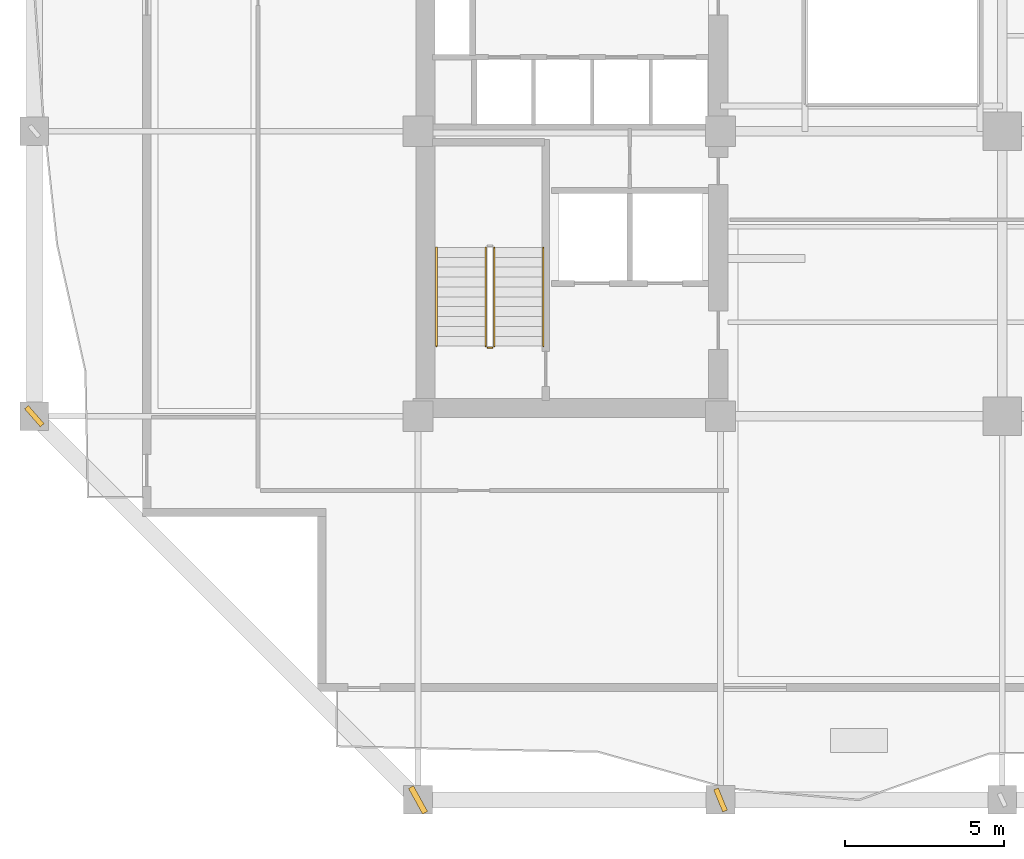
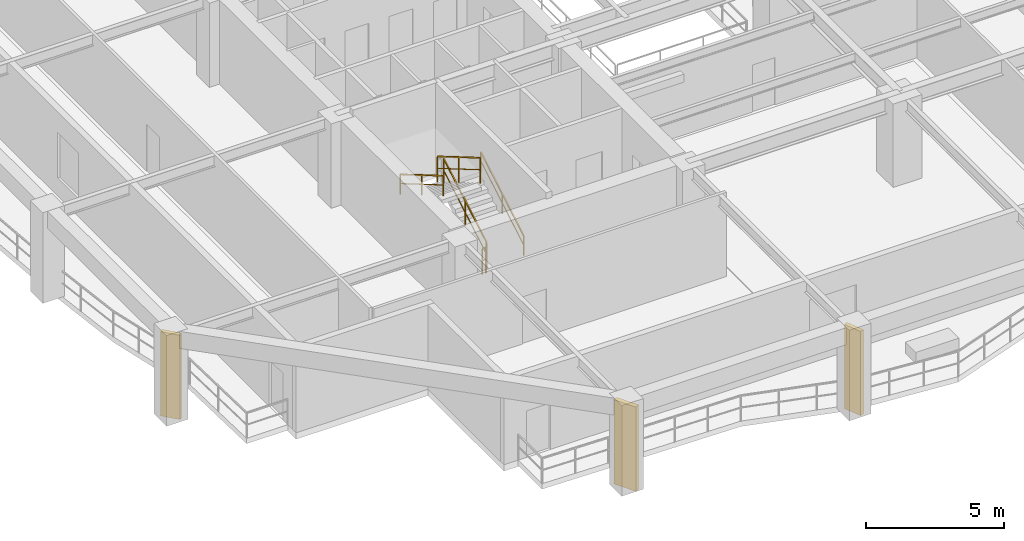
# One storey, part 6 of 13: 5 railings, 3 shading devices.
"""IFC4 building model written with IfcOpenShell, lengths in metres."""

from ifc_helpers import new_model, si_unit, direction, frame, origin, origin_2d, place, context, subcontext, project, spatial, rectangle, extrude, material, type_object, element, save


model = new_model("IFC4")

# Units and contexts
model_context = context("Model", 3, precision=1e-05, world=origin(), true_north=direction((0.0, 1.0)))
body_context = subcontext(model_context, "Body", "Model", "MODEL_VIEW")
ifc_project = project(units=[si_unit("LENGTHUNIT", "METRE"), si_unit("AREAUNIT", "SQUARE_METRE"), si_unit("VOLUMEUNIT", "CUBIC_METRE"), si_unit("PLANEANGLEUNIT", "RADIAN"), si_unit("MASSUNIT", "GRAM", prefix="KILO")], contexts=[model_context])

# Site, building, storey
site_placement = place(None, origin())
site = spatial("IfcSite", under=ifc_project, at=site_placement, CompositionType="ELEMENT")
building_placement = place(site_placement, origin())
building = spatial("IfcBuilding", under=site, at=building_placement, Name="Kundavana Baori Tower", CompositionType="ELEMENT")
storey_placement = place(building_placement, frame((0.0, 0.0, 34.0)))
storey = spatial("IfcBuildingStorey", under=building, at=storey_placement, Name="L07", CompositionType="ELEMENT", Elevation=34.0)

# Railings
ifc_material_1 = material(Name="Architectural Patinated Bronze Metalwork")
railing_type_1 = type_object("IfcRailingType", Name="RL-GRD-1150", PredefinedType="GUARDRAIL", material=ifc_material_1)
railing_1_placement = place(storey_placement, frame((17.840087890625, 17.449951171875, 0.181884765625)))
element("IfcRailing", 1, at=railing_1_placement, inside=storey, type_object=railing_type_1, Name="L07 ST1 stair guard 1", PredefinedType="GUARDRAIL", context=body_context, shape_type="SweptSolid", body=[
    extrude(rectangle(XDim=0.048095703125, YDim=0.048095703125, at=origin_2d()), frame((0.0, 0.0, 1.1259765625), z_axis=(0.0, 0.862598821094, 0.505888598258), x_axis=(-1.0, 0.0, 0.0)), (0.0, 0.0, 1.0), 3.593994140625),
    extrude(rectangle(XDim=0.03125, YDim=0.03125, at=origin_2d()), frame((0.0, 0.0, 0.597900390625), z_axis=(0.0, 0.862598821094, 0.505888598258), x_axis=(-1.0, 0.0, 0.0)), (0.0, 0.0, 1.0), 3.593994140625),
    extrude(rectangle(XDim=0.0419921875, YDim=0.0419921875, at=origin_2d()), origin(), (0.0, 0.0, 1.0), 1.101806640625),
    extrude(rectangle(XDim=0.0419921875, YDim=0.0419921875, at=origin_2d()), frame((0.0, 1.550048828125, 0.9091796875)), (0.0, 0.0, 1.0), 1.101806640625),
    extrude(rectangle(XDim=0.0419921875, YDim=0.0419921875, at=origin_2d()), frame((0.0, 3.10009765625, 1.818115234375)), (0.0, 0.0, 1.0), 1.101806640625),
])
railing_2_placement = place(storey_placement, frame((17.580078125, 20.550048828125, 2.181884765625)))
element("IfcRailing", 2, at=railing_2_placement, inside=storey, type_object=railing_type_1, Name="L07 ST1 stair guard 3", PredefinedType="GUARDRAIL", context=body_context, shape_type="SweptSolid", body=[
    extrude(rectangle(XDim=0.048095703125, YDim=0.048095703125, at=origin_2d()), frame((0.0, 0.0, 1.1259765625), z_axis=(0.0, -0.862598821094, 0.505888598258), x_axis=(1.0, 0.0, 0.0)), (0.0, 0.0, 1.0), 3.593994140625),
    extrude(rectangle(XDim=0.03125, YDim=0.03125, at=origin_2d()), frame((0.0, 0.0, 0.597900390625), z_axis=(0.0, -0.862598821094, 0.505888598258), x_axis=(1.0, 0.0, 0.0)), (0.0, 0.0, 1.0), 3.593994140625),
    extrude(rectangle(XDim=0.0419921875, YDim=0.0419921875, at=origin_2d()), origin(), (0.0, 0.0, 1.0), 1.101806640625),
    extrude(rectangle(XDim=0.0419921875, YDim=0.0419921875, at=origin_2d()), frame((0.0, -1.550048828125, 0.9091796875)), (0.0, 0.0, 1.0), 1.101806640625),
    extrude(rectangle(XDim=0.0419921875, YDim=0.0419921875, at=origin_2d()), frame((0.0, -3.10009765625, 1.818115234375)), (0.0, 0.0, 1.0), 1.101806640625),
])
railing_3_placement = place(storey_placement, frame((17.7900390625, 17.39990234375, 0.0)))
element("IfcRailing", 3, at=railing_3_placement, inside=storey, type_object=railing_type_1, Name="L07 ST1 stair guard 4", PredefinedType="GUARDRAIL", context=body_context, shape_type="SweptSolid", body=[
    extrude(rectangle(XDim=0.048095703125, YDim=0.048095703125, at=origin_2d()), frame((0.0, 0.0, 1.1259765625), z_axis=(-1.0, 0.0, 0.0), x_axis=(0.0, -1.0, 0.0)), (0.0, 0.0, 1.0), 0.16015625),
    extrude(rectangle(XDim=0.03125, YDim=0.03125, at=origin_2d()), frame((0.0, 0.0, 0.597900390625), z_axis=(-1.0, 0.0, 0.0), x_axis=(0.0, -1.0, 0.0)), (0.0, 0.0, 1.0), 0.16015625),
    extrude(rectangle(XDim=0.0419921875, YDim=0.0419921875, at=origin_2d()), origin(), (0.0, 0.0, 1.0), 1.101806640625),
    extrude(rectangle(XDim=0.0419921875, YDim=0.0419921875, at=origin_2d()), frame((-0.16015625, 0.0, 0.0)), (0.0, 0.0, 1.0), 1.101806640625),
])
ifc_material_2 = material(Name="Architectural Patinated Bronze Metalwork")
railing_type_2 = type_object("IfcRailingType", Name="RL-HND-920", PredefinedType="HANDRAIL", material=ifc_material_2)
railing_4_placement = place(storey_placement, frame((19.389892578125, 17.449951171875, 0.181884765625)))
element("IfcRailing", 4, at=railing_4_placement, inside=storey, type_object=railing_type_2, Name="L07 ST1 stair handrail 1", PredefinedType="HANDRAIL", context=body_context, shape_type="SweptSolid", body=[
    extrude(rectangle(XDim=0.048095703125, YDim=0.048095703125, at=origin_2d()), frame((0.0, 0.0, 0.8759765625), z_axis=(0.0, 0.862598821094, 0.505888598258), x_axis=(-1.0, 0.0, 0.0)), (0.0, 0.0, 1.0), 3.593994140625),
    extrude(rectangle(XDim=0.03125, YDim=0.03125, at=origin_2d()), frame((0.0, 0.0, 0.468017578125), z_axis=(0.0, 0.862598821094, 0.505888598258), x_axis=(-1.0, 0.0, 0.0)), (0.0, 0.0, 1.0), 3.593994140625),
    extrude(rectangle(XDim=0.0419921875, YDim=0.0419921875, at=origin_2d()), origin(), (0.0, 0.0, 1.0), 0.851806640625),
    extrude(rectangle(XDim=0.0419921875, YDim=0.0419921875, at=origin_2d()), frame((0.0, 1.550048828125, 0.9091796875)), (0.0, 0.0, 1.0), 0.851806640625),
    extrude(rectangle(XDim=0.0419921875, YDim=0.0419921875, at=origin_2d()), frame((0.0, 3.10009765625, 1.818115234375)), (0.0, 0.0, 1.0), 0.851806640625),
])
railing_5_placement = place(storey_placement, frame((16.030029296875, 20.550048828125, 2.181884765625)))
element("IfcRailing", 5, at=railing_5_placement, inside=storey, type_object=railing_type_2, Name="L07 ST1 stair handrail 2", PredefinedType="HANDRAIL", context=body_context, shape_type="SweptSolid", body=[
    extrude(rectangle(XDim=0.048095703125, YDim=0.048095703125, at=origin_2d()), frame((0.0, 0.0, 0.8759765625), z_axis=(0.0, -0.862598821094, 0.505888598258), x_axis=(1.0, 0.0, 0.0)), (0.0, 0.0, 1.0), 3.593994140625),
    extrude(rectangle(XDim=0.03125, YDim=0.03125, at=origin_2d()), frame((0.0, 0.0, 0.468017578125), z_axis=(0.0, -0.862598821094, 0.505888598258), x_axis=(1.0, 0.0, 0.0)), (0.0, 0.0, 1.0), 3.593994140625),
    extrude(rectangle(XDim=0.0419921875, YDim=0.0419921875, at=origin_2d()), origin(), (0.0, 0.0, 1.0), 0.851806640625),
    extrude(rectangle(XDim=0.0419921875, YDim=0.0419921875, at=origin_2d()), frame((0.0, -1.550048828125, 0.9091796875)), (0.0, 0.0, 1.0), 0.851806640625),
    extrude(rectangle(XDim=0.0419921875, YDim=0.0419921875, at=origin_2d()), frame((0.0, -3.10009765625, 1.818115234375)), (0.0, 0.0, 1.0), 0.851806640625),
])

# Shading devices
ifc_material_3 = material(Name="Red-Buff Dholpur Sandstone Cladding on Concrete C40/50", Category="masonry")
shading_device_type_1 = type_object("IfcShadingDeviceType", Name="SHD-FIN-750", PredefinedType="JALOUSIE", material=ifc_material_3)
for number, where, z_axis, x_axis, name in (
    (6, (24.949951171875, 3.199951171875, 0.0), (0.0, 0.0, 1.0), (0.924944582565, 0.38010198524, 0.0), "L07 Sweeping Dholpur Sandstone Facade Fin 2"),
    (7, (3.39990234375, 15.25, 0.0), (0.0, 0.0, 1.0), (0.752414908896, 0.658689460119, 0.0), "L07 Sweeping Dholpur Sandstone Facade Fin 5"),
):
    element("IfcShadingDevice", number, at=place(storey_placement, frame(where, z_axis=z_axis, x_axis=x_axis)), inside=storey, type_object=shading_device_type_1, Name=name, PredefinedType="JALOUSIE", context=body_context, shape_type="SweptSolid", body=[
        extrude(rectangle(XDim=0.159912109375, YDim=0.75, at=origin_2d()), origin(), (0.0, 0.0, 1.0), 3.719970703125),
    ])
ifc_material_4 = material(Name="Red-Buff Dholpur Sandstone Cladding on Concrete C40/50", Category="masonry")
shading_device_type_2 = type_object("IfcShadingDeviceType", Name="SHD-FIN-920", PredefinedType="JALOUSIE", material=ifc_material_4)
shading_device_placement = place(storey_placement, frame((15.449951171875, 3.199951171875, 0.0), z_axis=(0.0, 0.0, 1.0), x_axis=(0.874957954937, 0.484198902407, 0.0)))
element("IfcShadingDevice", 8, at=shading_device_placement, inside=storey, type_object=shading_device_type_2, Name="L07 Sweeping Dholpur Sandstone Facade Fin 1", PredefinedType="JALOUSIE", context=body_context, shape_type="SweptSolid", body=[
    extrude(rectangle(XDim=0.179931640625, YDim=0.919921875, at=origin_2d()), origin(), (0.0, 0.0, 1.0), 3.719970703125),
])

save(model, "model.ifc")
